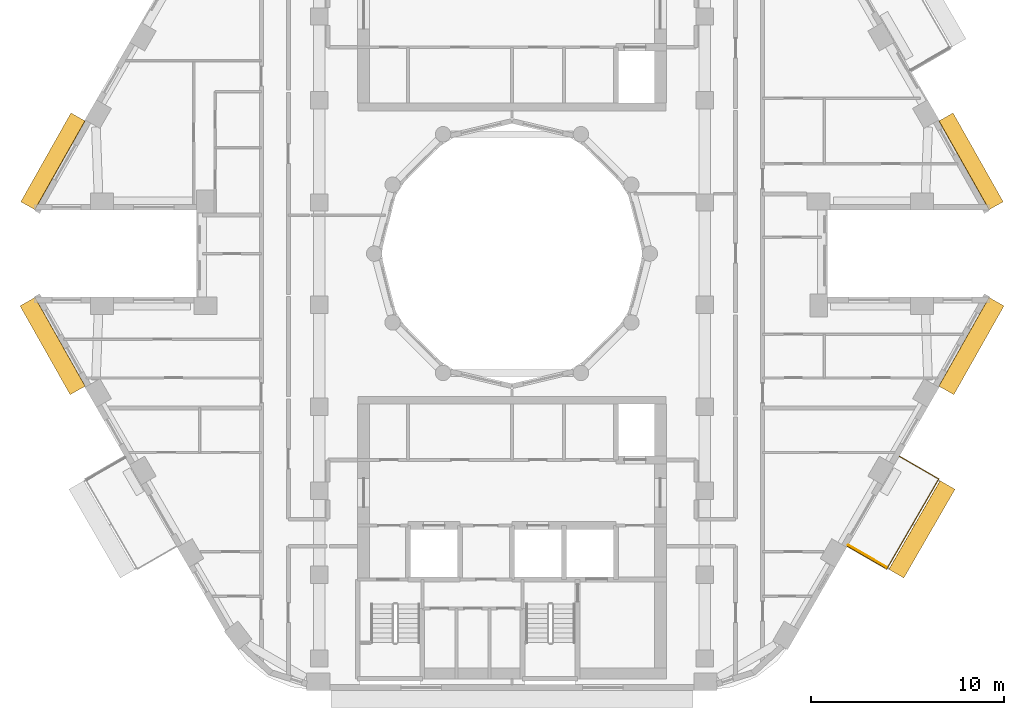
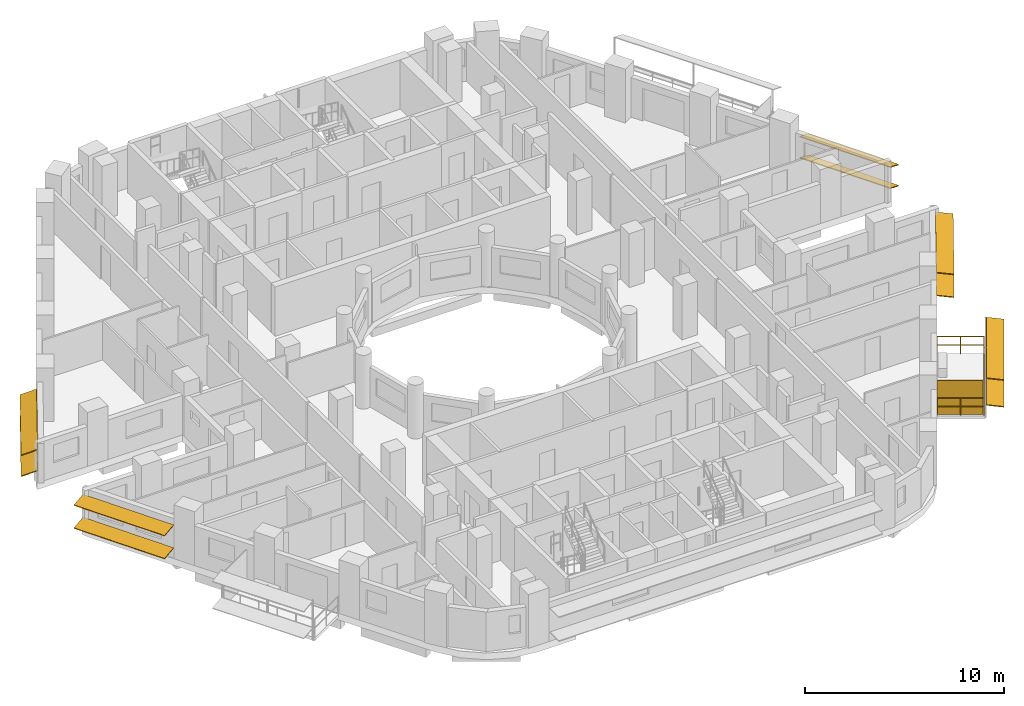
# One storey, part 16 of 18: 11 shading devices, 1 railing.
"""IFC4 building model written with IfcOpenShell, lengths in metres."""

from ifc_helpers import new_model, si_unit, direction, frame, origin, origin_2d, place, context, subcontext, project, spatial, rectangle, circle, extrude, material, layer, layer_set, material_profile, profile_set, type_object, element, save


model = new_model("IFC4")

# Units and contexts
model_context = context("Model", 3, precision=1e-05, world=origin(), true_north=direction((0.0, 1.0)))
body_context = subcontext(model_context, "Body", "Model", "MODEL_VIEW")
ifc_project = project(units=[si_unit("LENGTHUNIT", "METRE"), si_unit("AREAUNIT", "SQUARE_METRE"), si_unit("VOLUMEUNIT", "CUBIC_METRE"), si_unit("PLANEANGLEUNIT", "RADIAN"), si_unit("MASSUNIT", "GRAM", prefix="KILO")], contexts=[model_context])

# Site, building, storey
site_placement = place(None, origin())
site = spatial("IfcSite", under=ifc_project, at=site_placement, CompositionType="ELEMENT")
building_placement = place(site_placement, origin())
building = spatial("IfcBuilding", under=site, at=building_placement, Name="Nakaniwa Court", CompositionType="ELEMENT")
storey_placement = place(building_placement, frame((0.0, 0.0, 176.699951171875)))
storey = spatial("IfcBuildingStorey", under=building, at=storey_placement, Name="L45", CompositionType="ELEMENT", Elevation=176.699951171875)

# Railing
ifc_material_1 = material(Name="Black powder-coated steel flat bar balustrade S275", Category="steel")
railing_type = type_object("IfcRailingType", Name="Black metal balcony guard 1100", PredefinedType="GUARDRAIL", material=ifc_material_1)
railing_placement = place(storey_placement, frame((97.39111328125, 64.822021484375, -0.050048828125)))
element("IfcRailing", 1, at=railing_placement, inside=storey, type_object=railing_type, Name="L45 balcony guard 02", PredefinedType="GUARDRAIL", context=body_context, shape_type="SweptSolid", body=[
    extrude(circle(Radius=0.02392578125, at=origin_2d()), frame((0.0, 0.0, 1.076171875), z_axis=(0.866025363618, -0.50000006957, 0.0), x_axis=(0.50000006957, 0.866025363618, 0.0)), (0.0, 0.0, 1.0), 2.35986328125),
    extrude(circle(Radius=0.02392578125, at=origin_2d()), frame((0.0, 0.0, 0.550048828125), z_axis=(0.866025363618, -0.50000006957, 0.0), x_axis=(0.50000006957, 0.866025363618, 0.0)), (0.0, 0.0, 1.0), 2.35986328125),
    extrude(circle(Radius=0.02392578125, at=origin_2d()), frame((2.043701171875, -1.179931640625, 1.076171875), z_axis=(0.499982522799, 0.866035494016, 0.0), x_axis=(-0.866035494016, 0.499982522799, 0.0)), (0.0, 0.0, 1.0), 5.390380859375),
    extrude(circle(Radius=0.02392578125, at=origin_2d()), frame((2.043701171875, -1.179931640625, 0.550048828125), z_axis=(0.499982522799, 0.866035494016, 0.0), x_axis=(-0.866035494016, 0.499982522799, 0.0)), (0.0, 0.0, 1.0), 5.390380859375),
    extrude(circle(Radius=0.02392578125, at=origin_2d()), frame((4.73876953125, 3.48828125, 1.076171875), z_axis=(-0.866025363618, 0.50000006957, 0.0), x_axis=(-0.50000006957, -0.866025363618, 0.0)), (0.0, 0.0, 1.0), 2.35986328125),
    extrude(circle(Radius=0.02392578125, at=origin_2d()), frame((4.73876953125, 3.48828125, 0.550048828125), z_axis=(-0.866025363618, 0.50000006957, 0.0), x_axis=(-0.50000006957, -0.866025363618, 0.0)), (0.0, 0.0, 1.0), 2.35986328125),
    extrude(circle(Radius=0.02099609375, at=origin_2d()), origin(), (0.0, 0.0, 1.0), 1.052001953125),
    extrude(circle(Radius=0.02099609375, at=origin_2d()), frame((1.02197265625, -0.58984375, 0.0)), (0.0, 0.0, 1.0), 1.052001953125),
    extrude(circle(Radius=0.02099609375, at=origin_2d()), frame((2.043701171875, -1.179931640625, 0.0)), (0.0, 0.0, 1.0), 1.052001953125),
    extrude(circle(Radius=0.02099609375, at=origin_2d()), frame((2.582763671875, -0.246337890625, 0.0)), (0.0, 0.0, 1.0), 1.052001953125),
    extrude(circle(Radius=0.02099609375, at=origin_2d()), frame((3.121826171875, 0.687255859375, 0.0)), (0.0, 0.0, 1.0), 1.052001953125),
    extrude(circle(Radius=0.02099609375, at=origin_2d()), frame((3.66064453125, 1.62109375, 0.0)), (0.0, 0.0, 1.0), 1.052001953125),
    extrude(circle(Radius=0.02099609375, at=origin_2d()), frame((4.19970703125, 2.5546875, 0.0)), (0.0, 0.0, 1.0), 1.052001953125),
    extrude(circle(Radius=0.02099609375, at=origin_2d()), frame((4.73876953125, 3.48828125, 0.0)), (0.0, 0.0, 1.0), 1.052001953125),
    extrude(circle(Radius=0.02099609375, at=origin_2d()), frame((3.716796875, 4.078125, 0.0)), (0.0, 0.0, 1.0), 1.052001953125),
    extrude(circle(Radius=0.02099609375, at=origin_2d()), frame((2.695068359375, 4.668212890625, 0.0)), (0.0, 0.0, 1.0), 1.052001953125),
])

# Shading devices
ifc_material_2 = material(Name="Black powder-coated aluminium slat screen", Category="aluminium")
ifc_layer = layer(ifc_material_2, 0.0400390625)
ifc_layer_set = layer_set([ifc_layer], Name="Black powder-coated aluminium slat screen")
shading_device_type_1 = type_object("IfcShadingDeviceType", Name="Koshi screen black metal", PredefinedType="USERDEFINED", material=ifc_layer_set)
shading_device_placement = place(storey_placement, frame((98.43115234375, 64.313720703125, -0.050048828125), z_axis=(0.0, 0.0, 1.0), x_axis=(0.500016626402, 0.866015804314, 0.0)))
element("IfcShadingDevice", 2, at=shading_device_placement, inside=storey, type_object=shading_device_type_1, Name="L45 balcony SCREEN 02 W", ObjectType="KOSHI SCREEN", PredefinedType="USERDEFINED", context=body_context, shape_type="SweptSolid", body=[
    extrude(rectangle(XDim=0.0400390625, YDim=2.31005859375, at=origin_2d()), origin(), (0.0, 0.0, 1.0), 2.10009765625),
])
ifc_material_3 = material(Name="Perforated charcoal ceramic louvre blade")
ifc_material_profile = material_profile(ifc_material_3, rectangle(XDim=0.89990234375, YDim=0.050048828125, at=origin_2d()), Name="Perforated ceramic louvre blade")
ifc_profile_set = profile_set([ifc_material_profile], Name="Perforated charcoal ceramic louvre blade")
shading_device_type_2 = type_object("IfcShadingDeviceType", Name="Perforated ceramic louvre blade", PredefinedType="JALOUSIE", material=ifc_profile_set)
for number, where, z_axis, x_axis, name in (
    (3, (99.930419921875, 63.40185546875, 0.5), (0.49999571177, 0.866027879581, 0.0), (-0.858618891017, 0.495718179143, 0.13052619222), "L45 perforated ceramic louvre blade 02 1"),
    (4, (99.930419921875, 63.40185546875, 2.150146484375), (0.49999571177, 0.866027879581, 0.0), (-0.858618891017, 0.495718179143, 0.13052619222), "L45 perforated ceramic louvre blade 02 2"),
):
    element("IfcShadingDevice", number, at=place(storey_placement, frame(where, z_axis=z_axis, x_axis=x_axis)), inside=storey, type_object=shading_device_type_2, Name=name, PredefinedType="JALOUSIE", context=body_context, shape_type="SweptSolid", body=[
        extrude(rectangle(XDim=0.89990234375, YDim=0.050048828125, at=origin_2d()), origin(), (0.0, 0.0, 1.0), 5.310546875),
    ])
for number, where, z_axis, x_axis, name in (
    (5, (105.103759765625, 82.480224609375, 0.550048828125), (-0.492005517921, 0.870592080331, 0.0), (-0.804902454764, -0.454881750109, 0.38107037635), "L45 perforated ceramic louvre blade w02 1"),
    (6, (105.103759765625, 82.480224609375, 1.845458984375), (-0.492005517921, 0.870592080331, 0.0), (-0.804902454764, -0.454881750109, 0.38107037635), "L45 perforated ceramic louvre blade w02 2"),
    (7, (57.497314453125, 87.082763671875, 0.550048828125), (-0.492005517921, -0.870592080331, 0.0), (0.804902454764, -0.454881750109, 0.38107037635), "L45 perforated ceramic louvre blade w14 1"),
    (8, (57.497314453125, 87.082763671875, 1.845458984375), (-0.492005517921, -0.870592080331, 0.0), (0.804902454764, -0.454881750109, 0.38107037635), "L45 perforated ceramic louvre blade w14 2"),
):
    element("IfcShadingDevice", number, at=place(storey_placement, frame(where, z_axis=z_axis, x_axis=x_axis)), inside=storey, type_object=shading_device_type_2, Name=name, PredefinedType="JALOUSIE", context=body_context, shape_type="SweptSolid", body=[
        extrude(rectangle(XDim=0.89990234375, YDim=0.050048828125, at=origin_2d()), origin(), (0.0, 0.0, 1.0), 5.28662109375),
    ])
for number, where, z_axis, x_axis, name in (
    (9, (54.87548828125, 77.508056640625, 0.550048828125), (0.492040518232, -0.870572299363, 0.0), (0.862924792041, 0.487718208105, 0.132256390257), "L45 perforated ceramic louvre blade w20 1"),
    (10, (54.87548828125, 77.508056640625, 1.955810546875), (0.492040518232, -0.870572299363, 0.0), (0.862924792041, 0.487718208105, 0.132256390257), "L45 perforated ceramic louvre blade w20 2"),
    (11, (102.523193359375, 72.905517578125, 0.550048828125), (0.492040518232, 0.870572299363, 0.0), (-0.862924792041, 0.487718208105, 0.132256390257), "L45 perforated ceramic louvre blade w32 1"),
    (12, (102.523193359375, 72.905517578125, 1.955810546875), (0.492040518232, 0.870572299363, 0.0), (-0.862924792041, 0.487718208105, 0.132256390257), "L45 perforated ceramic louvre blade w32 2"),
):
    element("IfcShadingDevice", number, at=place(storey_placement, frame(where, z_axis=z_axis, x_axis=x_axis)), inside=storey, type_object=shading_device_type_2, Name=name, PredefinedType="JALOUSIE", context=body_context, shape_type="SweptSolid", body=[
        extrude(rectangle(XDim=0.89990234375, YDim=0.050048828125, at=origin_2d()), origin(), (0.0, 0.0, 1.0), 5.286865234375),
    ])

save(model, "model.ifc")
